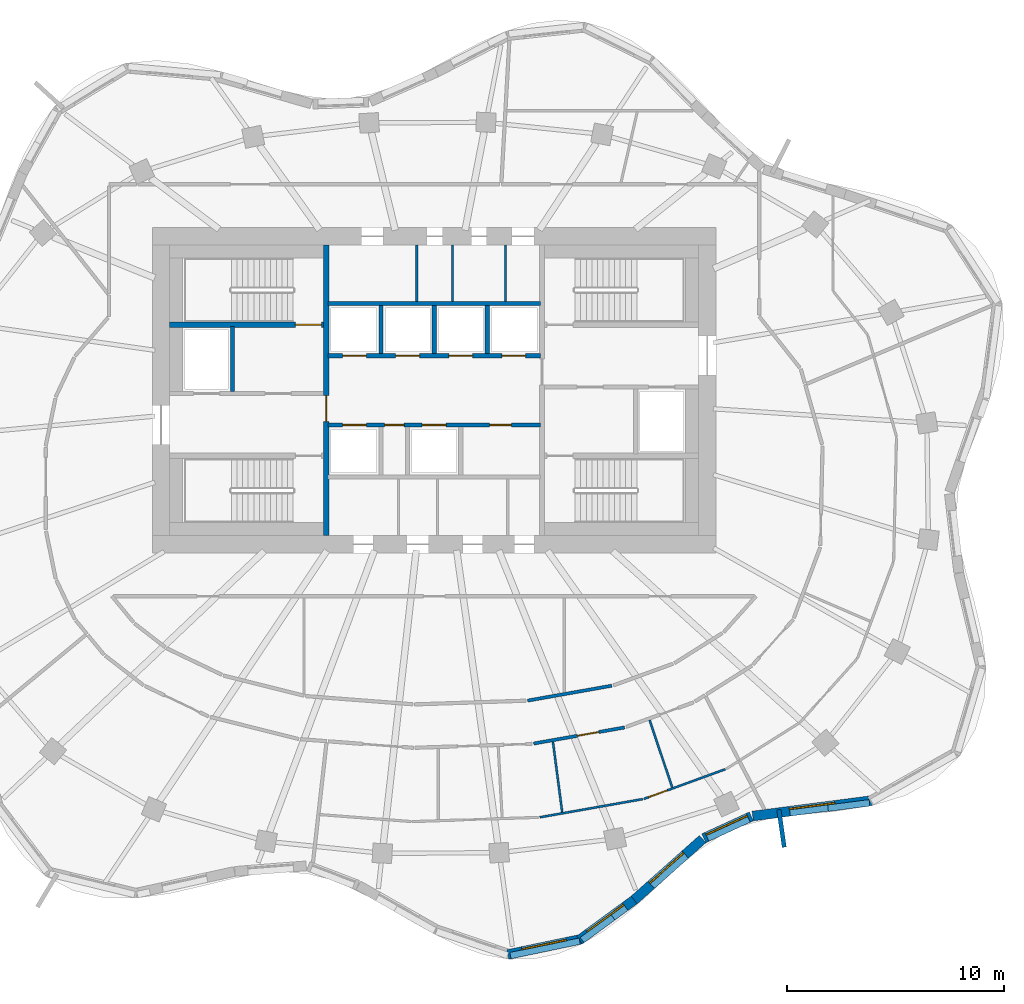
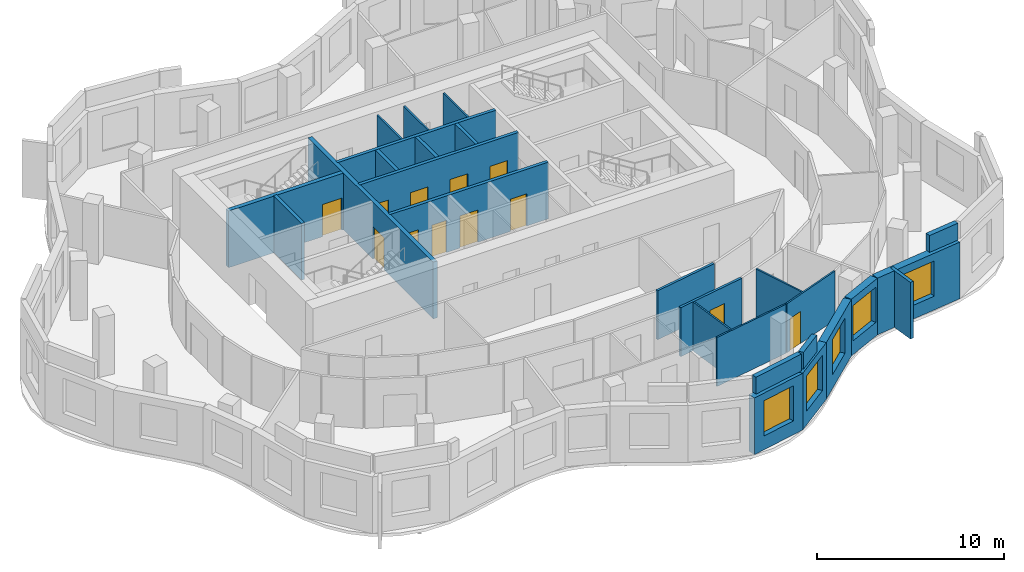
# One storey, part 5 of 10: 27 walls, 12 doors, 5 windows, 17 openings.
"""IFC4 building model written with IfcOpenShell, lengths in metres."""

import ifcopenshell
import ifcopenshell.guid

model = None  # the IFC model being written
_history = None  # IfcOwnerHistory: only IFC2X3 demands one
_inside = {}  # id of a spatial element -> (the spatial element, [elements in it])
_under = {}  # id of a project, library or spatial element -> (it, [spatial elements below it])
_declared = {}  # id of a project -> (the project, [libraries it declares])
_typed = {}  # id of a type object -> (the type object, [elements of that type])
_made_of = {}  # id of a material, layer set ... -> (it, [elements and type objects made of it])


def new_model(schema):
    """Start an empty IFC model of exactly this schema.

    Asked for "IFC4X3", IfcOpenShell would pick the latest addendum, in which some entities
    have other attributes; the version numbers below select the first issue.
    IFC2X3 requires an IfcOwnerHistory on every rooted entity: one is made here for all.
    """
    global model, _history
    if schema == "IFC4X3":
        model = ifcopenshell.file(schema_version=(4, 3, 0, 0))
    else:
        model = ifcopenshell.file(schema=schema)
    _inside.clear()
    _under.clear()
    _declared.clear()
    _typed.clear()
    _made_of.clear()
    _history = None
    if model.schema == "IFC2X3":
        org = make("IfcOrganization", Name="unknown")
        user = make(
            "IfcPersonAndOrganization",
            ThePerson=make("IfcPerson", FamilyName="unknown"),
            TheOrganization=org,
        )
        app = make(
            "IfcApplication",
            ApplicationDeveloper=org,
            Version="unknown",
            ApplicationFullName="unknown",
            ApplicationIdentifier="unknown",
        )
        _history = make(
            "IfcOwnerHistory",
            OwningUser=user,
            OwningApplication=app,
            ChangeAction="ADDED",
            CreationDate=0,
        )
    return model


def make(cls, **values):
    """One entity of the class cls with the attributes given. An attribute that is None is left unset."""
    return model.create_entity(
        cls, **{name: value for name, value in values.items() if value is not None}
    )


def rooted(cls, **values):
    """An entity with a GlobalId (a new one), such as an element, a storey or a relation."""
    return make(cls, GlobalId=ifcopenshell.guid.new(), OwnerHistory=_history, **values)


def si_unit(unit_type, name, prefix=None):
    """IfcSIUnit, for example si_unit("LENGTHUNIT", "METRE", prefix="MILLI")."""
    return make("IfcSIUnit", UnitType=unit_type, Prefix=prefix, Name=name)


def assignment(units):
    """IfcUnitAssignment: the units of a project."""
    return None if units is None else make("IfcUnitAssignment", Units=units)


def point(xyz):
    """IfcCartesianPoint."""
    return None if xyz is None else make("IfcCartesianPoint", Coordinates=xyz)


def direction(xyz):
    """IfcDirection."""
    return None if xyz is None else make("IfcDirection", DirectionRatios=xyz)


def frame(location, z_axis=None, x_axis=None):
    """IfcAxis2Placement3D, a coordinate frame: its origin and axes. An axis left out is left unset."""
    return make(
        "IfcAxis2Placement3D",
        Location=point(location),
        Axis=direction(z_axis),
        RefDirection=direction(x_axis),
    )


def frame_2d(location, x_axis=None):
    """IfcAxis2Placement2D, a coordinate frame in the plane: its origin and x axis."""
    return make(
        "IfcAxis2Placement2D", Location=point(location), RefDirection=direction(x_axis)
    )


def origin():
    """The frame at (0, 0, 0) with its axes left unset."""
    return frame((0.0, 0.0, 0.0))


def place(relative_to, where):
    """IfcLocalPlacement: puts the frame where relative to a parent placement (None: the world)."""
    return make(
        "IfcLocalPlacement", PlacementRelTo=relative_to, RelativePlacement=where
    )


def context(
    kind, dimensions, precision=None, world=None, true_north=None, identifier=None
):
    """IfcGeometricRepresentationContext, for example the 3D "Model" context."""
    return make(
        "IfcGeometricRepresentationContext",
        ContextIdentifier=identifier,
        ContextType=kind,
        CoordinateSpaceDimension=dimensions,
        Precision=precision,
        WorldCoordinateSystem=world,
        TrueNorth=true_north,
    )


def subcontext(parent, identifier, kind, view, scale=None):
    """IfcGeometricRepresentationSubContext, for example "Body" below "Model"."""
    return make(
        "IfcGeometricRepresentationSubContext",
        ContextIdentifier=identifier,
        ContextType=kind,
        ParentContext=parent,
        TargetScale=scale,
        TargetView=view,
    )


def project(units=None, contexts=None):
    """IfcProject with its units and contexts."""
    return rooted(
        "IfcProject",
        Name="project",
        RepresentationContexts=contexts,
        UnitsInContext=assignment(units),
    )


def spatial(cls, under=None, at=None, **own):
    """A site, building, storey or space (cls), placed at a placement, below another one or the project."""
    s = rooted(cls, ObjectPlacement=at, **own)
    if under is not None:
        _under.setdefault(under.id(), (under, []))[1].append(s)
    return s


def profile(cls, at=None, kind="AREA", **sizes):
    """A parametric profile (cls). Its sizes go by their IFC names, for example OverallWidth=200.0."""
    return make(cls, ProfileType=kind, Position=at, **sizes)


def rectangle(**sizes):
    """IfcRectangleProfileDef."""
    return profile("IfcRectangleProfileDef", **sizes)


def extrude(swept, where, along, depth):
    """IfcExtrudedAreaSolid: the profile swept, set in the frame where, extruded along a direction by depth."""
    return make(
        "IfcExtrudedAreaSolid",
        SweptArea=swept,
        Position=where,
        ExtrudedDirection=direction(along),
        Depth=depth,
    )


def shape(context_of_items, identifier, shape_type, items):
    """IfcShapeRepresentation: the items that make up one representation, for example the "Body"."""
    return make(
        "IfcShapeRepresentation",
        ContextOfItems=context_of_items,
        RepresentationIdentifier=identifier,
        RepresentationType=shape_type,
        Items=items,
    )


def material(Name=None, Category=None):
    """IfcMaterial."""
    return make("IfcMaterial", Name=Name, Category=Category)


def layer(
    of_material, thickness, ventilated=None, Name=None, Category=None, Priority=None
):
    """IfcMaterialLayer: one layer of a wall or slab, of a material (None: an air gap)."""
    return make(
        "IfcMaterialLayer",
        Material=of_material,
        LayerThickness=thickness,
        IsVentilated=ventilated,
        Name=Name,
        Category=Category,
        Priority=Priority,
    )


def layer_set(layers, Name=None):
    """IfcMaterialLayerSet."""
    return make("IfcMaterialLayerSet", MaterialLayers=layers, LayerSetName=Name)


def made_of(thing, what):
    """Note that an element or type object is made of a material, layer set ...; save() writes the relation."""
    if what is not None:
        _made_of.setdefault(what.id(), (what, []))[1].append(thing)
    return thing


def type_object(cls, material=None, **own):
    """A type object (cls), such as IfcWallType, which elements share."""
    return made_of(rooted(cls, **own), material)


def element(
    cls,
    number,
    at=None,
    inside=None,
    cuts=None,
    type_object=None,
    material=None,
    context=None,
    identifier="Body",
    shape_type=None,
    held_by="IfcProductDefinitionShape",
    body=None,
    shapes=None,
    **own,
):
    """One element of the class cls, such as IfcWall. Its Tag is "e" and its number.

    at: its placement. inside: the storey or other place that contains it. cuts: it is an
    opening in that element (IfcRelVoidsElement). A single representation is given by context,
    identifier, shape_type and body (its items); several are given by shapes. held_by: the class
    of the entity that holds the representations. save() writes the other relations.
    """
    e = rooted(cls, Tag="e%d" % number, ObjectPlacement=at, **own)
    if body is not None:
        shapes = [shape(context, identifier, shape_type, body)]
    if shapes is not None:
        e.Representation = make(held_by, Representations=shapes)
    if inside is not None:
        _inside.setdefault(inside.id(), (inside, []))[1].append(e)
    if cuts is not None:
        rooted(
            "IfcRelVoidsElement", RelatingBuildingElement=cuts, RelatedOpeningElement=e
        )
    if type_object is not None:
        _typed.setdefault(type_object.id(), (type_object, []))[1].append(e)
    return made_of(e, material)


def fill(opening, filler):
    """IfcRelFillsElement: the door or window that sits in an opening."""
    return rooted(
        "IfcRelFillsElement",
        RelatingOpeningElement=opening,
        RelatedBuildingElement=filler,
    )


def aggregate(whole, parts):
    """IfcRelAggregates: a whole, such as a stair, and the parts it consists of."""
    return rooted("IfcRelAggregates", RelatingObject=whole, RelatedObjects=parts)


def save(model, path):
    """Write the relations noted so far, then the file.

    IfcRelAggregates (storeys below a building ...), IfcRelContainedInSpatialStructure (elements
    in a storey), IfcRelDefinesByType, IfcRelAssociatesMaterial and IfcRelDeclares: one each for
    every whole, place, type object, material and project.
    """
    for whole, parts in _under.values():
        aggregate(whole, parts)
    for where, things in _inside.values():
        rooted(
            "IfcRelContainedInSpatialStructure",
            RelatedElements=things,
            RelatingStructure=where,
        )
    for kind, things in _typed.values():
        rooted("IfcRelDefinesByType", RelatedObjects=things, RelatingType=kind)
    for what, things in _made_of.values():
        rooted("IfcRelAssociatesMaterial", RelatedObjects=things, RelatingMaterial=what)
    for by, libraries in _declared.values():
        rooted("IfcRelDeclares", RelatingContext=by, RelatedDefinitions=libraries)
    model.write(path)


model = new_model("IFC4")

# Units and contexts
model_context = context("Model", 3, precision=1e-05, world=origin(), true_north=direction((0.0, 1.0)))
body_context = subcontext(model_context, "Body", "Model", "MODEL_VIEW")
ifc_project = project(units=[si_unit("LENGTHUNIT", "METRE"), si_unit("AREAUNIT", "SQUARE_METRE"), si_unit("VOLUMEUNIT", "CUBIC_METRE"), si_unit("PLANEANGLEUNIT", "RADIAN"), si_unit("MASSUNIT", "GRAM", prefix="KILO")], contexts=[model_context])

# Site, building, storey
site_placement = place(None, origin())
site = spatial("IfcSite", under=ifc_project, at=site_placement, CompositionType="ELEMENT")
building_placement = place(site_placement, origin())
building = spatial("IfcBuilding", under=site, at=building_placement, Name="Rubra Terraces Tower", CompositionType="ELEMENT")
storey_placement = place(building_placement, frame((0.0, 0.0, 292.199951171875)))
storey = spatial("IfcBuildingStorey", under=building, at=storey_placement, Name="L72", CompositionType="ELEMENT", Elevation=292.199951171875)

# Wall, opening, window
ifc_material_1 = material(Name="Brick masonry red-brown", Category="masonry")
ifc_layer_1 = layer(ifc_material_1, 0.449951171875)
ifc_layer_set_1 = layer_set([ifc_layer_1], Name="Brick masonry red-brown")
wall_type_1 = type_object("IfcWallType", Name="Brick facade wall 450", PredefinedType="SOLIDWALL", material=ifc_layer_set_1)
wall_1_placement = place(storey_placement, frame((3.39892578125, -21.53173828125, 0.0), z_axis=(0.0, 0.0, 1.0), x_axis=(0.978915912181, 0.204263645512, 0.0)))
wall_1 = element("IfcWall", 1, at=wall_1_placement, inside=storey, type_object=wall_type_1, Name="Facade wall L72 bay 32", PredefinedType="SOLIDWALL", context=body_context, shape_type="SweptSolid", body=[
    extrude(rectangle(XDim=3.466064453125, YDim=0.449951171875, at=frame_2d((1.73291015625, 0.0))), origin(), (0.0, 0.0, 1.0), 3.699951171875),
])
opening_1_placement = place(wall_1_placement, frame((0.68310546875, 0.0, 0.89990234375)))
opening_1 = element("IfcOpeningElement", 2, at=opening_1_placement, cuts=wall_1, Name="Opening W1B", PredefinedType="OPENING", context=body_context, shape_type="SweptSolid", body=[
    extrude(rectangle(XDim=2.10009765625, YDim=2.300048828125, at=frame_2d((1.050048828125, 1.14990234375))), frame((0.0, 0.23486328125, 0.0), z_axis=(0.0, -1.0, 0.0), x_axis=(1.0, 0.0, 0.0)), (0.0, 0.0, 1.0), 0.469970703125),
])
ifc_material_2 = material(Name="Clear glass in aluminium frame", Category="aluminium")
window_type = type_object("IfcWindowType", Name="Fixed deep-set window tall storey 2100 x 2300", PartitioningType="SINGLE_PANEL", PredefinedType="WINDOW", material=ifc_material_2)
window_1_placement = place(opening_1_placement, origin())
window_1 = element("IfcWindow", 3, at=window_1_placement, inside=storey, type_object=window_type, Name="Window L72 bay 32", OverallHeight=2.300048828125, OverallWidth=2.10009765625, PartitioningType="SINGLE_PANEL", PredefinedType="WINDOW", context=body_context, shape_type="SweptSolid", body=[
    extrude(rectangle(XDim=2.10009765625, YDim=2.300048828125, at=frame_2d((1.050048828125, 1.14990234375))), frame((0.0, 0.135009765625, 0.0), z_axis=(0.0, -1.0, 0.0), x_axis=(1.0, 0.0, 0.0)), (0.0, 0.0, 1.0), 0.06005859375),
])
fill(opening_1, window_1)

wall_2_placement = place(storey_placement, frame((6.705078125, -20.8623046875, 0.0), z_axis=(0.0, 0.0, 1.0), x_axis=(0.806921336267, 0.590658917716, 0.0)))
wall_2 = element("IfcWall", 4, at=wall_2_placement, inside=storey, type_object=wall_type_1, Name="Facade wall L72 bay 33", PredefinedType="SOLIDWALL", context=body_context, shape_type="SweptSolid", body=[
    extrude(rectangle(XDim=3.124755859375, YDim=0.449951171875, at=frame_2d((1.5625, 0.0))), origin(), (0.0, 0.0, 1.0), 3.699951171875),
])
opening_2_placement = place(wall_2_placement, frame((0.512451171875, 0.0, 0.89990234375)))
opening_2 = element("IfcOpeningElement", 5, at=opening_2_placement, cuts=wall_2, Name="Opening W1B", PredefinedType="OPENING", context=body_context, shape_type="SweptSolid", body=[
    extrude(rectangle(XDim=2.10009765625, YDim=2.300048828125, at=frame_2d((1.050048828125, 1.14990234375))), frame((0.0, 0.23486328125, 0.0), z_axis=(0.0, -1.0, 0.0), x_axis=(1.0, 0.0, 0.0)), (0.0, 0.0, 1.0), 0.469970703125),
])
window_2_placement = place(opening_2_placement, origin())
window_2 = element("IfcWindow", 6, at=window_2_placement, inside=storey, type_object=window_type, Name="Window L72 bay 33", OverallHeight=2.300048828125, OverallWidth=2.10009765625, PartitioningType="SINGLE_PANEL", PredefinedType="WINDOW", context=body_context, shape_type="SweptSolid", body=[
    extrude(rectangle(XDim=2.10009765625, YDim=2.300048828125, at=frame_2d((1.050048828125, 1.14990234375))), frame((0.0, 0.135009765625, 0.0), z_axis=(0.0, -1.0, 0.0), x_axis=(1.0, 0.0, 0.0)), (0.0, 0.0, 1.0), 0.06005859375),
])
fill(opening_2, window_2)

wall_3_placement = place(storey_placement, frame((9.2099609375, -19.030029296875, 0.0), z_axis=(0.0, 0.0, 1.0), x_axis=(0.747396648191, 0.664378092861, 0.0)))
wall_3 = element("IfcWall", 7, at=wall_3_placement, inside=storey, type_object=wall_type_1, Name="Facade wall L72 bay 34", PredefinedType="SOLIDWALL", context=body_context, shape_type="SweptSolid", body=[
    extrude(rectangle(XDim=4.25244140625, YDim=0.449951171875, at=frame_2d((2.126220703125, 0.0))), origin(), (0.0, 0.0, 1.0), 3.699951171875),
])
opening_3_placement = place(wall_3_placement, frame((1.076171875, 0.0, 0.89990234375)))
opening_3 = element("IfcOpeningElement", 8, at=opening_3_placement, cuts=wall_3, Name="Opening W1B", PredefinedType="OPENING", context=body_context, shape_type="SweptSolid", body=[
    extrude(rectangle(XDim=2.10009765625, YDim=2.300048828125, at=frame_2d((1.050048828125, 1.14990234375))), frame((0.0, 0.23486328125, 0.0), z_axis=(0.0, -1.0, 0.0), x_axis=(1.0, 0.0, 0.0)), (0.0, 0.0, 1.0), 0.469970703125),
])
window_3_placement = place(opening_3_placement, origin())
window_3 = element("IfcWindow", 9, at=window_3_placement, inside=storey, type_object=window_type, Name="Window L72 bay 34", OverallHeight=2.300048828125, OverallWidth=2.10009765625, PartitioningType="SINGLE_PANEL", PredefinedType="WINDOW", context=body_context, shape_type="SweptSolid", body=[
    extrude(rectangle(XDim=2.10009765625, YDim=2.300048828125, at=frame_2d((1.050048828125, 1.14990234375))), frame((0.0, 0.135009765625, 0.0), z_axis=(0.0, -1.0, 0.0), x_axis=(1.0, 0.0, 0.0)), (0.0, 0.0, 1.0), 0.06005859375),
])
fill(opening_3, window_3)

wall_4_placement = place(storey_placement, frame((12.443603515625, -16.168701171875, 0.0), z_axis=(0.0, 0.0, 1.0), x_axis=(0.908468904074, 0.417952449844, 0.0)))
wall_4 = element("IfcWall", 10, at=wall_4_placement, inside=storey, type_object=wall_type_1, Name="Facade wall L72 bay 35", PredefinedType="SOLIDWALL", context=body_context, shape_type="SweptSolid", body=[
    extrude(rectangle(XDim=2.408935546875, YDim=0.449951171875, at=frame_2d((1.20458984375, 0.0))), origin(), (0.0, 0.0, 1.0), 3.699951171875),
])
opening_4_placement = place(wall_4_placement, frame((0.154541015625, 0.0, 0.89990234375)))
opening_4 = element("IfcOpeningElement", 11, at=opening_4_placement, cuts=wall_4, Name="Opening W1B", PredefinedType="OPENING", context=body_context, shape_type="SweptSolid", body=[
    extrude(rectangle(XDim=2.10009765625, YDim=2.300048828125, at=frame_2d((1.050048828125, 1.14990234375))), frame((0.0, 0.23486328125, 0.0), z_axis=(0.0, -1.0, 0.0), x_axis=(1.0, 0.0, 0.0)), (0.0, 0.0, 1.0), 0.469970703125),
])
window_4_placement = place(opening_4_placement, origin())
window_4 = element("IfcWindow", 12, at=window_4_placement, inside=storey, type_object=window_type, Name="Window L72 bay 35", OverallHeight=2.300048828125, OverallWidth=2.10009765625, PartitioningType="SINGLE_PANEL", PredefinedType="WINDOW", context=body_context, shape_type="SweptSolid", body=[
    extrude(rectangle(XDim=2.10009765625, YDim=2.300048828125, at=frame_2d((1.050048828125, 1.14990234375))), frame((0.0, 0.135009765625, 0.0), z_axis=(0.0, -1.0, 0.0), x_axis=(1.0, 0.0, 0.0)), (0.0, 0.0, 1.0), 0.06005859375),
])
fill(opening_4, window_4)

wall_5_placement = place(storey_placement, frame((14.697265625, -15.143310546875, 0.0), z_axis=(0.0, 0.0, 1.0), x_axis=(0.991631798411, 0.129098320597, 0.0)))
wall_5 = element("IfcWall", 13, at=wall_5_placement, inside=storey, type_object=wall_type_1, Name="Facade wall L72 bay 36", PredefinedType="SOLIDWALL", context=body_context, shape_type="SweptSolid", body=[
    extrude(rectangle(XDim=5.546630859375, YDim=0.449951171875, at=frame_2d((2.7734375, 0.0))), origin(), (0.0, 0.0, 1.0), 3.699951171875),
])
opening_5_placement = place(wall_5_placement, frame((1.723388671875, 0.0, 0.89990234375)))
opening_5 = element("IfcOpeningElement", 14, at=opening_5_placement, cuts=wall_5, Name="Opening W1B", PredefinedType="OPENING", context=body_context, shape_type="SweptSolid", body=[
    extrude(rectangle(XDim=2.10009765625, YDim=2.300048828125, at=frame_2d((1.050048828125, 1.14990234375))), frame((0.0, 0.23486328125, 0.0), z_axis=(0.0, -1.0, 0.0), x_axis=(1.0, 0.0, 0.0)), (0.0, 0.0, 1.0), 0.469970703125),
])
window_5_placement = place(opening_5_placement, origin())
window_5 = element("IfcWindow", 15, at=window_5_placement, inside=storey, type_object=window_type, Name="Window L72 bay 36", OverallHeight=2.300048828125, OverallWidth=2.10009765625, PartitioningType="SINGLE_PANEL", PredefinedType="WINDOW", context=body_context, shape_type="SweptSolid", body=[
    extrude(rectangle(XDim=2.10009765625, YDim=2.300048828125, at=frame_2d((1.050048828125, 1.14990234375))), frame((0.0, 0.135009765625, 0.0), z_axis=(0.0, -1.0, 0.0), x_axis=(1.0, 0.0, 0.0)), (0.0, 0.0, 1.0), 0.06005859375),
])
fill(opening_5, window_5)

# Walls
ifc_layer_2 = layer(ifc_material_1, 0.300048828125)
ifc_layer_set_2 = layer_set([ifc_layer_2], Name="Brick masonry red-brown")
wall_type_2 = type_object("IfcWallType", Name="Brick parapet 300", PredefinedType="PARAPET", material=ifc_layer_set_2)
wall_6_placement = place(storey_placement, frame((3.523681640625, -21.582275390625, 3.900146484375), z_axis=(0.0, 0.0, 1.0), x_axis=(0.97891618591, 0.204262333689, 0.0)))
element("IfcWall", 16, at=wall_6_placement, inside=storey, type_object=wall_type_2, Name="Parapet L72 bay 32", PredefinedType="PARAPET", context=body_context, shape_type="SweptSolid", body=[
    extrude(rectangle(XDim=3.25927734375, YDim=0.300048828125, at=frame_2d((1.629638671875, 0.0))), origin(), (0.0, 0.0, 1.0), 1.099853515625),
])
wall_7_placement = place(storey_placement, frame((6.825927734375, -20.866943359375, 3.900146484375), z_axis=(0.0, 0.0, 1.0), x_axis=(0.806882780815, 0.59071158616, 0.0)))
element("IfcWall", 17, at=wall_7_placement, inside=storey, type_object=wall_type_2, Name="Parapet L72 bay 33", PredefinedType="PARAPET", context=body_context, shape_type="SweptSolid", body=[
    extrude(rectangle(XDim=1.769775390625, YDim=0.300048828125, at=frame_2d((0.884765625, 0.0))), origin(), (0.0, 0.0, 1.0), 1.099853515625),
])
wall_8_placement = place(storey_placement, frame((18.171875, -14.78173828125, 3.900146484375), z_axis=(0.0, 0.0, 1.0), x_axis=(0.99163214002, 0.129095696595, 0.0)))
element("IfcWall", 18, at=wall_8_placement, inside=storey, type_object=wall_type_2, Name="Parapet L72 bay 36", PredefinedType="PARAPET", context=body_context, shape_type="SweptSolid", body=[
    extrude(rectangle(XDim=1.928955078125, YDim=0.300048828125, at=frame_2d((0.96435546875, 0.0))), origin(), (0.0, 0.0, 1.0), 1.099853515625),
])
ifc_layer_3 = layer(ifc_material_1, 0.199951171875)
ifc_layer_set_3 = layer_set([ifc_layer_3], Name="Brick masonry red-brown")
wall_type_3 = type_object("IfcWallType", Name="Brick wind fin 200", PredefinedType="SOLIDWALL", material=ifc_layer_set_3)
wall_9_placement = place(storey_placement, frame((15.905029296875, -14.85009765625, 0.0), z_axis=(0.0, 0.0, 1.0), x_axis=(0.140913490987, -0.990021912918, 0.0)))
element("IfcWall", 19, at=wall_9_placement, inside=storey, type_object=wall_type_3, Name="Wind fin L72 18", PredefinedType="SOLIDWALL", context=body_context, shape_type="SweptSolid", body=[
    extrude(rectangle(XDim=1.75, YDim=0.199951171875, at=frame_2d((0.875, 0.0))), origin(), (0.0, 0.0, 1.0), 3.699951171875),
])

# Wall, opening, door
ifc_material_3 = material(Name="Plasterboard on steel stud, mineral wool infill", Category="steel")
ifc_layer_4 = layer(ifc_material_3, 0.14990234375)
ifc_layer_set_4 = layer_set([ifc_layer_4], Name="Plasterboard on steel stud, mineral wool infill")
wall_type_4 = type_object("IfcWallType", Name="CORRIDOR PARTITION 150", PredefinedType="PARTITIONING", material=ifc_layer_set_4)
wall_10_placement = place(storey_placement, frame((4.593505859375, -11.798583984375, 0.0), z_axis=(0.0, 0.0, 1.0), x_axis=(0.984693444773, 0.174295208833, 0.0)))
wall_10 = element("IfcWall", 20, at=wall_10_placement, inside=storey, type_object=wall_type_4, Name="PARTITION", PredefinedType="PARTITIONING", context=body_context, shape_type="SweptSolid", body=[
    extrude(rectangle(XDim=4.260986328125, YDim=0.14990234375, at=frame_2d((2.13037109375, 0.0))), origin(), (0.0, 0.0, 1.0), 3.197998046875),
])
opening_6_placement = place(wall_10_placement, frame((2.050048828125, 0.0, 0.0)))
opening_6 = element("IfcOpeningElement", 21, at=opening_6_placement, cuts=wall_10, Name="Opening 72-117", PredefinedType="OPENING", context=body_context, shape_type="SweptSolid", body=[
    extrude(rectangle(XDim=1.0, YDim=2.10009765625, at=frame_2d((0.5, 1.050048828125))), frame((0.0, 0.0849609375, 0.0), z_axis=(0.0, -1.0, 0.0), x_axis=(1.0, 0.0, 0.0)), (0.0, 0.0, 1.0), 0.169921875),
])
ifc_material_4 = material(Name="Painted timber door leaf", Category="wood")
door_type_1 = type_object("IfcDoorType", Name="ROOM DOOR 1000 X 2100", OperationType="SINGLE_SWING_LEFT", PredefinedType="DOOR", material=ifc_material_4)
door_1_placement = place(opening_6_placement, origin())
door_1 = element("IfcDoor", 22, at=door_1_placement, inside=storey, type_object=door_type_1, Name="DOOR 72-117", OperationType="SINGLE_SWING_RIGHT", OverallHeight=2.10009765625, OverallWidth=1.0, PredefinedType="DOOR", context=body_context, shape_type="SweptSolid", body=[
    extrude(rectangle(XDim=1.0, YDim=2.10009765625, at=frame_2d((0.5, 1.050048828125))), frame((0.0, 0.02490234375, 0.0), z_axis=(0.0, -1.0, 0.0), x_axis=(1.0, 0.0, 0.0)), (0.0, 0.0, 1.0), 0.050048828125),
])
fill(opening_6, door_1)

# Walls
wall_11_placement = place(storey_placement, frame((8.1953125, -9.1298828125, 0.0), z_axis=(0.0, 0.0, 1.0), x_axis=(-0.9846880937, -0.174325437403, 0.0)))
element("IfcWall", 23, at=wall_11_placement, inside=storey, type_object=wall_type_4, Name="PARTITION", PredefinedType="PARTITIONING", context=body_context, shape_type="SweptSolid", body=[
    extrude(rectangle(XDim=3.945068359375, YDim=0.14990234375, at=frame_2d((1.97265625, 0.0))), origin(), (0.0, 0.0, 1.0), 3.197998046875),
])
ifc_material_5 = material(Name="Concrete C30", Category="concrete")
ifc_layer_5 = layer(ifc_material_5, 0.199951171875)
ifc_layer_set_5 = layer_set([ifc_layer_5], Name="Concrete C30")
wall_type_5 = type_object("IfcWallType", Name="Core wall 200 concrete", PredefinedType="SOLIDWALL", material=ifc_layer_set_5)
wall_12_placement = place(storey_placement, frame((-9.300048828125, 4.449951171875, 0.0), z_axis=(0.0, 0.0, 1.0), x_axis=(0.0, 1.0, 0.0)))
element("IfcWall", 24, at=wall_12_placement, inside=storey, type_object=wall_type_5, Name="STAIR WALL L72", PredefinedType="SOLIDWALL", context=body_context, shape_type="SweptSolid", body=[
    extrude(rectangle(XDim=3.0, YDim=0.199951171875, at=frame_2d((1.5, 0.0))), origin(), (0.0, 0.0, 1.0), 3.699951171875),
])

# Wall, openings, doors
wall_13_placement = place(storey_placement, frame((-4.89990234375, 2.89990234375, 0.0), z_axis=(0.0, 0.0, 1.0), x_axis=(1.0, 0.0, 0.0)))
wall_13 = element("IfcWall", 25, at=wall_13_placement, inside=storey, type_object=wall_type_5, Name="LIFT SHAFT WALL L72", PredefinedType="SOLIDWALL", context=body_context, shape_type="SweptSolid", body=[
    extrude(rectangle(XDim=9.7998046875, YDim=0.199951171875, at=frame_2d((4.89990234375, 0.0))), origin(), (0.0, 0.0, 1.0), 3.699951171875),
])
opening_7_placement = place(wall_13_placement, frame((0.675048828125, 0.0, 0.0)))
opening_7 = element("IfcOpeningElement", 26, at=opening_7_placement, cuts=wall_13, Name="Opening L72.C13", PredefinedType="OPENING", context=body_context, shape_type="SweptSolid", body=[
    extrude(rectangle(XDim=1.10009765625, YDim=2.10009765625, at=frame_2d((0.550048828125, 1.050048828125))), frame((0.0, 0.10986328125, 0.0), z_axis=(0.0, -1.0, 0.0), x_axis=(1.0, 0.0, 0.0)), (0.0, 0.0, 1.0), 0.219970703125),
])
opening_8_placement = place(wall_13_placement, frame((2.613037109375, 0.0, 0.0)))
opening_8 = element("IfcOpeningElement", 27, at=opening_8_placement, cuts=wall_13, Name="Opening L72.C14", PredefinedType="OPENING", context=body_context, shape_type="SweptSolid", body=[
    extrude(rectangle(XDim=0.89990234375, YDim=2.10009765625, at=frame_2d((0.449951171875, 1.050048828125))), frame((0.0, 0.10986328125, 0.0), z_axis=(0.0, -1.0, 0.0), x_axis=(1.0, 0.0, 0.0)), (0.0, 0.0, 1.0), 0.219970703125),
])
opening_9_placement = place(wall_13_placement, frame((4.35009765625, 0.0, 0.0)))
opening_9 = element("IfcOpeningElement", 28, at=opening_9_placement, cuts=wall_13, Name="Opening L72.C15", PredefinedType="OPENING", context=body_context, shape_type="SweptSolid", body=[
    extrude(rectangle(XDim=1.10009765625, YDim=2.10009765625, at=frame_2d((0.550048828125, 1.050048828125))), frame((0.0, 0.10986328125, 0.0), z_axis=(0.0, -1.0, 0.0), x_axis=(1.0, 0.0, 0.0)), (0.0, 0.0, 1.0), 0.219970703125),
])
opening_10_placement = place(wall_13_placement, frame((7.462890625, 0.0, 0.0)))
opening_10 = element("IfcOpeningElement", 29, at=opening_10_placement, cuts=wall_13, Name="Opening L72.C16", PredefinedType="OPENING", context=body_context, shape_type="SweptSolid", body=[
    extrude(rectangle(XDim=1.0, YDim=2.10009765625, at=frame_2d((0.5, 1.050048828125))), frame((0.0, 0.10986328125, 0.0), z_axis=(0.0, -1.0, 0.0), x_axis=(1.0, 0.0, 0.0)), (0.0, 0.0, 1.0), 0.219970703125),
])
ifc_material_6 = material(Name="Painted steel", Category="steel")
door_type_2 = type_object("IfcDoorType", Name="Fire door 1000x2100 single", OperationType="NOTDEFINED", PredefinedType="DOOR", material=ifc_material_6)
door_2_placement = place(opening_10_placement, origin())
door_2 = element("IfcDoor", 30, at=door_2_placement, inside=storey, type_object=door_type_2, Name="Security and building control room door", OperationType="SINGLE_SWING_RIGHT", OverallHeight=2.10009765625, OverallWidth=1.0, PredefinedType="DOOR", context=body_context, shape_type="SweptSolid", body=[
    extrude(rectangle(XDim=1.0, YDim=2.10009765625, at=frame_2d((0.5, 1.050048828125))), frame((0.0, 0.02490234375, 0.0), z_axis=(0.0, -1.0, 0.0), x_axis=(1.0, 0.0, 0.0)), (0.0, 0.0, 1.0), 0.050048828125),
])
fill(opening_10, door_2)
door_type_3 = type_object("IfcDoorType", Name="Fire door 900x2100 single", OperationType="NOTDEFINED", PredefinedType="DOOR", material=ifc_material_6)
door_3_placement = place(opening_8_placement, origin())
door_3 = element("IfcDoor", 31, at=door_3_placement, inside=storey, type_object=door_type_3, Name="Cleaner's store door", OperationType="SINGLE_SWING_RIGHT", OverallHeight=2.10009765625, OverallWidth=0.89990234375, PredefinedType="DOOR", context=body_context, shape_type="SweptSolid", body=[
    extrude(rectangle(XDim=0.89990234375, YDim=2.10009765625, at=frame_2d((0.449951171875, 1.050048828125))), frame((0.0, 0.02490234375, 0.0), z_axis=(0.0, -1.0, 0.0), x_axis=(1.0, 0.0, 0.0)), (0.0, 0.0, 1.0), 0.050048828125),
])
fill(opening_8, door_3)
ifc_material_7 = material(Name="Stainless steel", Category="steel")
door_type_4 = type_object("IfcDoorType", Name="Lift landing door 1100x2100", OperationType="NOTDEFINED", PredefinedType="DOOR", material=ifc_material_7)
door_4_placement = place(opening_7_placement, origin())
door_4 = element("IfcDoor", 32, at=door_4_placement, inside=storey, type_object=door_type_4, Name="Landing door HB1", OperationType="SLIDING_TO_RIGHT", OverallHeight=2.10009765625, OverallWidth=1.10009765625, PredefinedType="DOOR", context=body_context, shape_type="SweptSolid", body=[
    extrude(rectangle(XDim=1.10009765625, YDim=2.10009765625, at=frame_2d((0.550048828125, 1.050048828125))), frame((0.0, 0.02490234375, 0.0), z_axis=(0.0, -1.0, 0.0), x_axis=(1.0, 0.0, 0.0)), (0.0, 0.0, 1.0), 0.050048828125),
])
fill(opening_7, door_4)
door_5_placement = place(opening_9_placement, origin())
door_5 = element("IfcDoor", 33, at=door_5_placement, inside=storey, type_object=door_type_4, Name="Landing door HB2", OperationType="SLIDING_TO_LEFT", OverallHeight=2.10009765625, OverallWidth=1.10009765625, PredefinedType="DOOR", context=body_context, shape_type="SweptSolid", body=[
    extrude(rectangle(XDim=1.10009765625, YDim=2.10009765625, at=frame_2d((0.550048828125, 1.050048828125))), frame((0.0, 0.02490234375, 0.0), z_axis=(0.0, -1.0, 0.0), x_axis=(1.0, 0.0, 0.0)), (0.0, 0.0, 1.0), 0.050048828125),
])
fill(opening_9, door_5)

wall_14_placement = place(storey_placement, frame((-4.89990234375, 6.10009765625, 0.0), z_axis=(0.0, 0.0, 1.0), x_axis=(1.0, 0.0, 0.0)))
wall_14 = element("IfcWall", 34, at=wall_14_placement, inside=storey, type_object=wall_type_5, Name="LIFT SHAFT WALL L72", PredefinedType="SOLIDWALL", context=body_context, shape_type="SweptSolid", body=[
    extrude(rectangle(XDim=9.7998046875, YDim=0.199951171875, at=frame_2d((4.89990234375, 0.0))), origin(), (0.0, 0.0, 1.0), 3.699951171875),
])
opening_11_placement = place(wall_14_placement, frame((0.675048828125, 0.0, 0.0)))
opening_11 = element("IfcOpeningElement", 35, at=opening_11_placement, cuts=wall_14, Name="Opening L72.C17", PredefinedType="OPENING", context=body_context, shape_type="SweptSolid", body=[
    extrude(rectangle(XDim=1.10009765625, YDim=2.10009765625, at=frame_2d((0.550048828125, 1.050048828125))), frame((0.0, 0.10986328125, 0.0), z_axis=(0.0, -1.0, 0.0), x_axis=(1.0, 0.0, 0.0)), (0.0, 0.0, 1.0), 0.219970703125),
])
opening_12_placement = place(wall_14_placement, frame((3.125, 0.0, 0.0)))
opening_12 = element("IfcOpeningElement", 36, at=opening_12_placement, cuts=wall_14, Name="Opening L72.C18", PredefinedType="OPENING", context=body_context, shape_type="SweptSolid", body=[
    extrude(rectangle(XDim=1.10009765625, YDim=2.10009765625, at=frame_2d((0.550048828125, 1.050048828125))), frame((0.0, 0.10986328125, 0.0), z_axis=(0.0, -1.0, 0.0), x_axis=(1.0, 0.0, 0.0)), (0.0, 0.0, 1.0), 0.219970703125),
])
opening_13_placement = place(wall_14_placement, frame((5.574951171875, 0.0, 0.0)))
opening_13 = element("IfcOpeningElement", 37, at=opening_13_placement, cuts=wall_14, Name="Opening L72.C19", PredefinedType="OPENING", context=body_context, shape_type="SweptSolid", body=[
    extrude(rectangle(XDim=1.10009765625, YDim=2.10009765625, at=frame_2d((0.550048828125, 1.050048828125))), frame((0.0, 0.10986328125, 0.0), z_axis=(0.0, -1.0, 0.0), x_axis=(1.0, 0.0, 0.0)), (0.0, 0.0, 1.0), 0.219970703125),
])
opening_14_placement = place(wall_14_placement, frame((8.02490234375, 0.0, 0.0)))
opening_14 = element("IfcOpeningElement", 38, at=opening_14_placement, cuts=wall_14, Name="Opening L72.C20", PredefinedType="OPENING", context=body_context, shape_type="SweptSolid", body=[
    extrude(rectangle(XDim=1.10009765625, YDim=2.10009765625, at=frame_2d((0.550048828125, 1.050048828125))), frame((0.0, 0.10986328125, 0.0), z_axis=(0.0, -1.0, 0.0), x_axis=(1.0, 0.0, 0.0)), (0.0, 0.0, 1.0), 0.219970703125),
])
door_6_placement = place(opening_11_placement, origin())
door_6 = element("IfcDoor", 39, at=door_6_placement, inside=storey, type_object=door_type_4, Name="Landing door HB3", OperationType="SLIDING_TO_RIGHT", OverallHeight=2.10009765625, OverallWidth=1.10009765625, PredefinedType="DOOR", context=body_context, shape_type="SweptSolid", body=[
    extrude(rectangle(XDim=1.10009765625, YDim=2.10009765625, at=frame_2d((0.550048828125, 1.050048828125))), frame((0.0, 0.02490234375, 0.0), z_axis=(0.0, -1.0, 0.0), x_axis=(1.0, 0.0, 0.0)), (0.0, 0.0, 1.0), 0.050048828125),
])
fill(opening_11, door_6)
door_7_placement = place(opening_12_placement, origin())
door_7 = element("IfcDoor", 40, at=door_7_placement, inside=storey, type_object=door_type_4, Name="Landing door HB4", OperationType="SLIDING_TO_LEFT", OverallHeight=2.10009765625, OverallWidth=1.10009765625, PredefinedType="DOOR", context=body_context, shape_type="SweptSolid", body=[
    extrude(rectangle(XDim=1.10009765625, YDim=2.10009765625, at=frame_2d((0.550048828125, 1.050048828125))), frame((0.0, 0.02490234375, 0.0), z_axis=(0.0, -1.0, 0.0), x_axis=(1.0, 0.0, 0.0)), (0.0, 0.0, 1.0), 0.050048828125),
])
fill(opening_12, door_7)
door_8_placement = place(opening_13_placement, origin())
door_8 = element("IfcDoor", 41, at=door_8_placement, inside=storey, type_object=door_type_4, Name="Landing door HB5", OperationType="SLIDING_TO_RIGHT", OverallHeight=2.10009765625, OverallWidth=1.10009765625, PredefinedType="DOOR", context=body_context, shape_type="SweptSolid", body=[
    extrude(rectangle(XDim=1.10009765625, YDim=2.10009765625, at=frame_2d((0.550048828125, 1.050048828125))), frame((0.0, 0.02490234375, 0.0), z_axis=(0.0, -1.0, 0.0), x_axis=(1.0, 0.0, 0.0)), (0.0, 0.0, 1.0), 0.050048828125),
])
fill(opening_13, door_8)
door_9_placement = place(opening_14_placement, origin())
door_9 = element("IfcDoor", 42, at=door_9_placement, inside=storey, type_object=door_type_4, Name="Landing door HB6", OperationType="SLIDING_TO_LEFT", OverallHeight=2.10009765625, OverallWidth=1.10009765625, PredefinedType="DOOR", context=body_context, shape_type="SweptSolid", body=[
    extrude(rectangle(XDim=1.10009765625, YDim=2.10009765625, at=frame_2d((0.550048828125, 1.050048828125))), frame((0.0, 0.02490234375, 0.0), z_axis=(0.0, -1.0, 0.0), x_axis=(1.0, 0.0, 0.0)), (0.0, 0.0, 1.0), 0.050048828125),
])
fill(opening_14, door_9)

# Walls
wall_15_placement = place(storey_placement, frame((-4.89990234375, 8.5, 0.0), z_axis=(0.0, 0.0, 1.0), x_axis=(1.0, 0.0, 0.0)))
element("IfcWall", 43, at=wall_15_placement, inside=storey, type_object=wall_type_5, Name="LIFT SHAFT WALL L72", PredefinedType="SOLIDWALL", context=body_context, shape_type="SweptSolid", body=[
    extrude(rectangle(XDim=9.7998046875, YDim=0.199951171875, at=frame_2d((4.89990234375, 0.0))), origin(), (0.0, 0.0, 1.0), 3.699951171875),
])
for number, where, z_axis, x_axis, name in (
    (44, (-2.449951171875, 6.199951171875, 0.0), (0.0, 0.0, 1.0), (0.0, 1.0, 0.0), "LIFT SHAFT WALL L72"),
    (45, (0.0, 6.199951171875, 0.0), (0.0, 0.0, 1.0), (0.0, 1.0, 0.0), "LIFT SHAFT WALL L72"),
    (46, (2.449951171875, 6.199951171875, 0.0), (0.0, 0.0, 1.0), (0.0, 1.0, 0.0), "LIFT SHAFT WALL L72"),
):
    element("IfcWall", number, at=place(storey_placement, frame(where, z_axis=z_axis, x_axis=x_axis)), inside=storey, type_object=wall_type_5, Name=name, PredefinedType="SOLIDWALL", context=body_context, shape_type="SweptSolid", body=[
        extrude(rectangle(XDim=2.199951171875, YDim=0.199951171875, at=frame_2d((1.10009765625, 0.0))), origin(), (0.0, 0.0, 1.0), 3.699951171875),
    ])

# Wall, opening, door
ifc_material_8 = material(Name="Plasterboard on steel stud", Category="steel")
ifc_layer_6 = layer(ifc_material_8, 0.10009765625)
ifc_layer_set_6 = layer_set([ifc_layer_6], Name="Plasterboard on steel stud")
wall_type_6 = type_object("IfcWallType", Name="ROOM PARTITION 100", PredefinedType="PARTITIONING", material=ifc_layer_set_6)
wall_16_placement = place(storey_placement, frame((13.432861328125, -12.983642578125, 0.0), z_axis=(0.0, 0.0, 1.0), x_axis=(-0.939673979614, -0.342071355182, 0.0)))
wall_16 = element("IfcWall", 47, at=wall_16_placement, inside=storey, type_object=wall_type_6, Name="PARTITION", PredefinedType="PARTITIONING", context=body_context, shape_type="SweptSolid", body=[
    extrude(rectangle(XDim=4.000244140625, YDim=0.10009765625, at=frame_2d((2.0, 0.0))), origin(), (0.0, 0.0, 1.0), 3.197998046875),
])
opening_15_placement = place(wall_16_placement, frame((2.85009765625, 0.0, 0.0)))
opening_15 = element("IfcOpeningElement", 48, at=opening_15_placement, cuts=wall_16, Name="Opening 72-106", PredefinedType="OPENING", context=body_context, shape_type="SweptSolid", body=[
    extrude(rectangle(XDim=0.89990234375, YDim=2.10009765625, at=frame_2d((0.449951171875, 1.050048828125))), frame((0.0, 0.06005859375, 0.0), z_axis=(0.0, -1.0, 0.0), x_axis=(1.0, 0.0, 0.0)), (0.0, 0.0, 1.0), 0.1201171875),
])
door_type_5 = type_object("IfcDoorType", Name="ROOM DOOR 900 X 2100", OperationType="SINGLE_SWING_LEFT", PredefinedType="DOOR", material=ifc_material_4)
door_10_placement = place(opening_15_placement, origin())
door_10 = element("IfcDoor", 49, at=door_10_placement, inside=storey, type_object=door_type_5, Name="DOOR 72-106", OperationType="SINGLE_SWING_RIGHT", OverallHeight=2.10009765625, OverallWidth=0.89990234375, PredefinedType="DOOR", context=body_context, shape_type="SweptSolid", body=[
    extrude(rectangle(XDim=0.89990234375, YDim=2.10009765625, at=frame_2d((0.449951171875, 1.050048828125))), frame((0.0, 0.02490234375, 0.0), z_axis=(0.0, -1.0, 0.0), x_axis=(1.0, 0.0, 0.0)), (0.0, 0.0, 1.0), 0.050048828125),
])
fill(opening_15, door_10)

# Walls
wall_17_placement = place(storey_placement, frame((9.624755859375, -14.36083984375, 0.0), z_axis=(0.0, 0.0, 1.0), x_axis=(-0.984691710098, -0.174305008716, 0.0)))
element("IfcWall", 50, at=wall_17_placement, inside=storey, type_object=wall_type_6, Name="PARTITION", PredefinedType="PARTITIONING", context=body_context, shape_type="SweptSolid", body=[
    extrude(rectangle(XDim=4.82373046875, YDim=0.10009765625, at=frame_2d((2.411865234375, 0.0))), origin(), (0.0, 0.0, 1.0), 3.197998046875),
])
wall_18_placement = place(storey_placement, frame((5.481689453125, -11.717529296875, 0.0), z_axis=(0.0, 0.0, 1.0), x_axis=(0.130173255727, -0.991491262439, 0.0)))
element("IfcWall", 51, at=wall_18_placement, inside=storey, type_object=wall_type_6, Name="PARTITION", PredefinedType="PARTITIONING", context=body_context, shape_type="SweptSolid", body=[
    extrude(rectangle(XDim=3.2783203125, YDim=0.10009765625, at=frame_2d((1.63916015625, 0.0))), origin(), (0.0, 0.0, 1.0), 3.197998046875),
])
wall_19_placement = place(storey_placement, frame((9.939697265625, -10.716796875, 0.0), z_axis=(0.0, 0.0, 1.0), x_axis=(0.318730603816, -0.947845347191, 0.0)))
element("IfcWall", 52, at=wall_19_placement, inside=storey, type_object=wall_type_6, Name="PARTITION", PredefinedType="PARTITIONING", context=body_context, shape_type="SweptSolid", body=[
    extrude(rectangle(XDim=3.276123046875, YDim=0.10009765625, at=frame_2d((1.63818359375, 0.0))), origin(), (0.0, 0.0, 1.0), 3.197998046875),
])
ifc_material_9 = material(Name="Blockwork", Category="masonry")
ifc_layer_7 = layer(ifc_material_9, 0.10009765625)
ifc_layer_set_7 = layer_set([ifc_layer_7], Name="Blockwork")
wall_type_7 = type_object("IfcWallType", Name="Service partition 100 blockwork", PredefinedType="PARTITIONING", material=ifc_layer_set_7)
for number, where, z_axis, x_axis, name in (
    (53, (-0.800048828125, 8.60009765625, 0.0), (0.0, 0.0, 1.0), (0.0, 1.0, 0.0), "SERVICE ROOM PARTITION L72"),
    (54, (0.85009765625, 8.60009765625, 0.0), (0.0, 0.0, 1.0), (0.0, 1.0, 0.0), "SERVICE ROOM PARTITION L72"),
    (55, (3.300048828125, 8.60009765625, 0.0), (0.0, 0.0, 1.0), (0.0, 1.0, 0.0), "SERVICE ROOM PARTITION L72"),
):
    element("IfcWall", number, at=place(storey_placement, frame(where, z_axis=z_axis, x_axis=x_axis)), inside=storey, type_object=wall_type_7, Name=name, PredefinedType="PARTITIONING", context=body_context, shape_type="SweptSolid", body=[
        extrude(rectangle(XDim=2.599853515625, YDim=0.10009765625, at=frame_2d((1.2998046875, 0.0))), origin(), (0.0, 0.0, 1.0), 3.699951171875),
    ])

# Wall, opening, door
ifc_material_10 = material(Name="Concrete C40", Category="concrete")
ifc_layer_8 = layer(ifc_material_10, 0.25)
ifc_layer_set_8 = layer_set([ifc_layer_8], Name="Concrete C40")
wall_type_8 = type_object("IfcWallType", Name="Stair enclosure wall 250 concrete", PredefinedType="SOLIDWALL", material=ifc_layer_set_8)
wall_20_placement = place(storey_placement, frame((-12.199951171875, 7.52490234375, 0.0), z_axis=(0.0, 0.0, 1.0), x_axis=(1.0, 0.0, 0.0)))
wall_20 = element("IfcWall", 56, at=wall_20_placement, inside=storey, type_object=wall_type_8, Name="STAIR WALL L72", PredefinedType="SOLIDWALL", context=body_context, shape_type="SweptSolid", body=[
    extrude(rectangle(XDim=7.099853515625, YDim=0.25, at=frame_2d((3.5498046875, 0.0))), origin(), (0.0, 0.0, 1.0), 3.699951171875),
])
opening_16_placement = place(wall_20_placement, frame((5.800048828125, 0.0, 0.0)))
opening_16 = element("IfcOpeningElement", 57, at=opening_16_placement, cuts=wall_20, Name="Opening L72.C09", PredefinedType="OPENING", context=body_context, shape_type="SweptSolid", body=[
    extrude(rectangle(XDim=1.199951171875, YDim=2.10009765625, at=frame_2d((0.60009765625, 1.050048828125))), frame((0.0, 0.135009765625, 0.0), z_axis=(0.0, -1.0, 0.0), x_axis=(1.0, 0.0, 0.0)), (0.0, 0.0, 1.0), 0.27001953125),
])
door_type_6 = type_object("IfcDoorType", Name="Fire door 1200x2100 single", OperationType="NOTDEFINED", PredefinedType="DOOR", material=ifc_material_6)
door_11_placement = place(opening_16_placement, origin())
door_11 = element("IfcDoor", 58, at=door_11_placement, inside=storey, type_object=door_type_6, Name="Stair door S2", OperationType="SINGLE_SWING_LEFT", OverallHeight=2.10009765625, OverallWidth=1.199951171875, PredefinedType="DOOR", context=body_context, shape_type="SweptSolid", body=[
    extrude(rectangle(XDim=1.199951171875, YDim=2.10009765625, at=frame_2d((0.60009765625, 1.050048828125))), frame((0.0, 0.02490234375, 0.0), z_axis=(0.0, -1.0, 0.0), x_axis=(1.0, 0.0, 0.0)), (0.0, 0.0, 1.0), 0.050048828125),
])
fill(opening_16, door_11)

wall_21_placement = place(storey_placement, frame((-4.97509765625, -2.199951171875, 0.0), z_axis=(0.0, 0.0, 1.0), x_axis=(0.0, 1.0, 0.0)))
wall_21 = element("IfcWall", 59, at=wall_21_placement, inside=storey, type_object=wall_type_8, Name="CORE LOBBY WALL L72", PredefinedType="SOLIDWALL", context=body_context, shape_type="SweptSolid", body=[
    extrude(rectangle(XDim=13.39990234375, YDim=0.25, at=frame_2d((6.699951171875, 0.0))), origin(), (0.0, 0.0, 1.0), 3.699951171875),
])
opening_17_placement = place(wall_21_placement, frame((5.25, 0.0, 0.0)))
opening_17 = element("IfcOpeningElement", 60, at=opening_17_placement, cuts=wall_21, Name="Opening L72.C03", PredefinedType="OPENING", context=body_context, shape_type="SweptSolid", body=[
    extrude(rectangle(XDim=1.199951171875, YDim=2.10009765625, at=frame_2d((0.60009765625, 1.050048828125))), frame((0.0, 0.135009765625, 0.0), z_axis=(0.0, -1.0, 0.0), x_axis=(1.0, 0.0, 0.0)), (0.0, 0.0, 1.0), 0.27001953125),
])
door_12_placement = place(opening_17_placement, origin())
door_12 = element("IfcDoor", 61, at=door_12_placement, inside=storey, type_object=door_type_6, Name="Firefighting lobby door FF1", OperationType="SINGLE_SWING_LEFT", OverallHeight=2.10009765625, OverallWidth=1.199951171875, PredefinedType="DOOR", context=body_context, shape_type="SweptSolid", body=[
    extrude(rectangle(XDim=1.199951171875, YDim=2.10009765625, at=frame_2d((0.60009765625, 1.050048828125))), frame((0.0, 0.02490234375, 0.0), z_axis=(0.0, -1.0, 0.0), x_axis=(1.0, 0.0, 0.0)), (0.0, 0.0, 1.0), 0.050048828125),
])
fill(opening_17, door_12)

save(model, "model.ifc")
